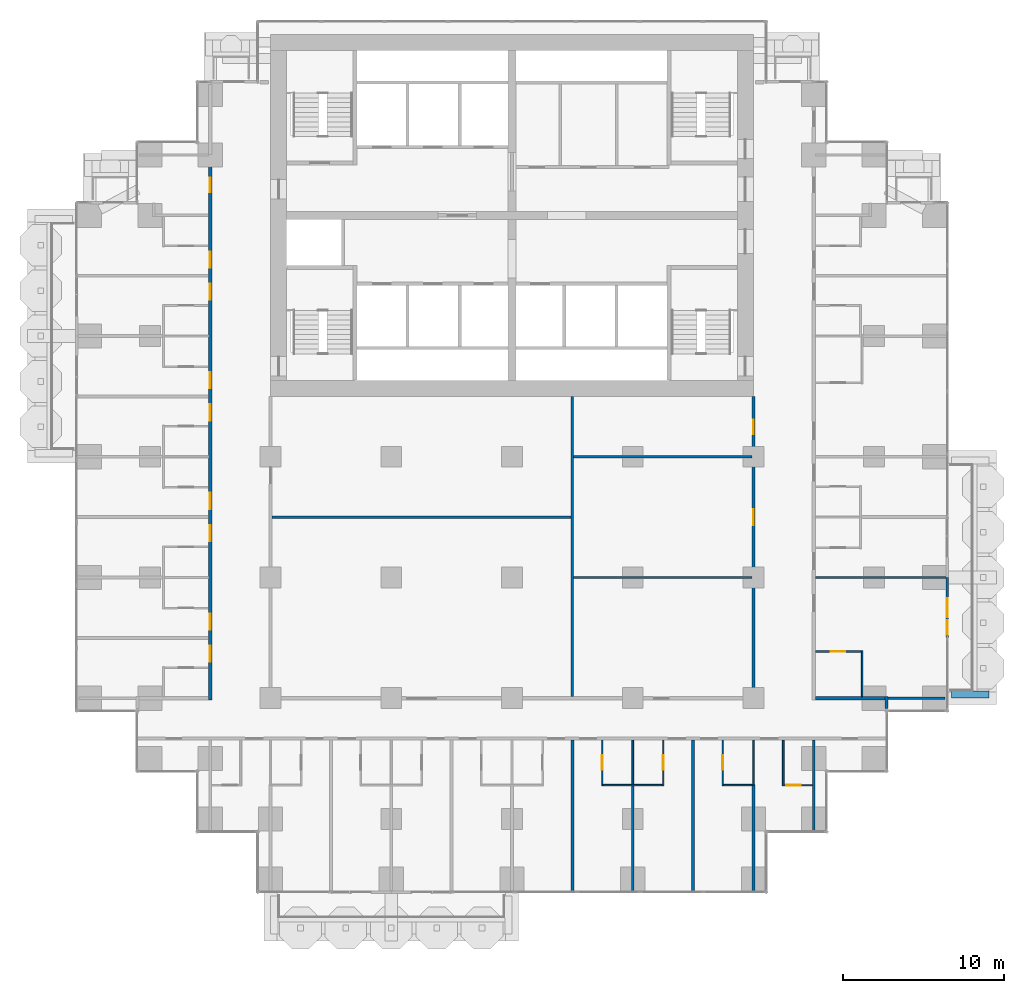
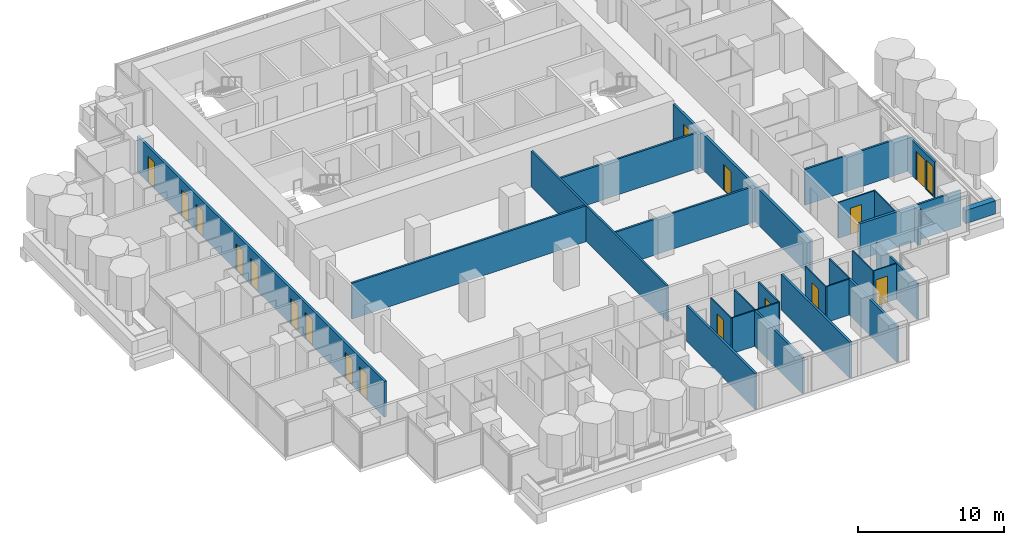
# One storey, part 12 of 19: 28 walls, 17 doors, 1 window, 18 openings.
"""IFC4 building model written with IfcOpenShell, lengths in metres."""

from ifc_helpers import new_model, si_unit, direction, frame, frame_2d, origin, place, context, subcontext, project, spatial, rectangle, extrude, material, layer, layer_set, type_object, element, fill, save


model = new_model("IFC4")

# Units and contexts
model_context = context("Model", 3, precision=1e-05, world=origin(), true_north=direction((0.0, 1.0)))
body_context = subcontext(model_context, "Body", "Model", "MODEL_VIEW")
ifc_project = project(units=[si_unit("LENGTHUNIT", "METRE"), si_unit("AREAUNIT", "SQUARE_METRE"), si_unit("VOLUMEUNIT", "CUBIC_METRE"), si_unit("PLANEANGLEUNIT", "RADIAN"), si_unit("MASSUNIT", "GRAM", prefix="KILO")], contexts=[model_context])

# Site, building, storey
site_placement = place(None, origin())
site = spatial("IfcSite", under=ifc_project, at=site_placement, CompositionType="ELEMENT")
building_placement = place(site_placement, origin())
building = spatial("IfcBuilding", under=site, at=building_placement, Name="Pilkhan Gate Tower", CompositionType="ELEMENT")
storey_placement = place(building_placement, frame((0.0, 0.0, 62.60009765625)))
storey = spatial("IfcBuildingStorey", under=building, at=storey_placement, Name="L13", CompositionType="ELEMENT", Elevation=62.60009765625)

# Walls
ifc_material_1 = material(Name="Dense blockwork", Category="masonry")
ifc_layer_1 = layer(ifc_material_1, 0.175048828125)
ifc_layer_set_1 = layer_set([ifc_layer_1], Name="Acoustic party wall PW175")
wall_type_1 = type_object("IfcWallType", Name="Acoustic party wall PW175", PredefinedType="PARTITIONING", material=ifc_layer_set_1)
wall_1_placement = place(storey_placement, frame((78.75, 40.485107421875, 0.0), z_axis=(0.0, 0.0, 1.0), x_axis=(0.0, 1.0, 0.0)))
element("IfcWall", 1, at=wall_1_placement, inside=storey, type_object=wall_type_1, Name="Partition L13", PredefinedType="PARTITIONING", context=body_context, shape_type="SweptSolid", body=[
    extrude(rectangle(XDim=9.414794921875, YDim=0.175048828125, at=frame_2d((4.70751953125, 0.0))), origin(), (0.0, 0.0, 1.0), 3.0),
])
wall_2_placement = place(storey_placement, frame((82.5, 40.485107421875, 0.0), z_axis=(0.0, 0.0, 1.0), x_axis=(0.0, 1.0, 0.0)))
element("IfcWall", 2, at=wall_2_placement, inside=storey, type_object=wall_type_1, Name="Partition L13", PredefinedType="PARTITIONING", context=body_context, shape_type="SweptSolid", body=[
    extrude(rectangle(XDim=6.56494140625, YDim=0.175048828125, at=frame_2d((3.282470703125, 0.0))), origin(), (0.0, 0.0, 1.0), 3.0),
])
wall_3_placement = place(storey_placement, frame((86.25, 40.485107421875, 0.0), z_axis=(0.0, 0.0, 1.0), x_axis=(0.0, 1.0, 0.0)))
element("IfcWall", 3, at=wall_3_placement, inside=storey, type_object=wall_type_1, Name="Partition L13", PredefinedType="PARTITIONING", context=body_context, shape_type="SweptSolid", body=[
    extrude(rectangle(XDim=9.414794921875, YDim=0.175048828125, at=frame_2d((4.70751953125, 0.0))), origin(), (0.0, 0.0, 1.0), 3.0),
])
wall_4_placement = place(storey_placement, frame((90.0, 40.485107421875, 0.0), z_axis=(0.0, 0.0, 1.0), x_axis=(0.0, 1.0, 0.0)))
element("IfcWall", 4, at=wall_4_placement, inside=storey, type_object=wall_type_1, Name="Partition L13", PredefinedType="PARTITIONING", context=body_context, shape_type="SweptSolid", body=[
    extrude(rectangle(XDim=6.664794921875, YDim=0.175048828125, at=frame_2d((3.33251953125, 0.0))), origin(), (0.0, 0.0, 1.0), 3.0),
])
ifc_material_2 = material(Name="Board-marked Concrete C40/50", Category="concrete")
ifc_layer_2 = layer(ifc_material_2, 0.449951171875)
ifc_layer_set_2 = layer_set([ifc_layer_2], Name="Balcony planter lip BL450")
wall_type_2 = type_object("IfcWallType", Name="Balcony planter lip BL450", PredefinedType="USERDEFINED", material=ifc_layer_set_2)
wall_5_placement = place(storey_placement, frame((102.300048828125, 52.72509765625, 0.0), z_axis=(0.0, 0.0, 1.0), x_axis=(1.0, 0.0, 0.0)))
element("IfcWall", 5, at=wall_5_placement, inside=storey, type_object=wall_type_2, Name="Balcony planter L13 E", ObjectType="BALCONY PLANTER", PredefinedType="USERDEFINED", context=body_context, shape_type="SweptSolid", body=[
    extrude(rectangle(XDim=2.349853515625, YDim=0.449951171875, at=frame_2d((1.1748046875, 0.0))), origin(), (0.0, 0.0, 1.0), 1.099853515625),
])
ifc_layer_3 = layer(ifc_material_1, 0.199951171875)
ifc_layer_set_3 = layer_set([ifc_layer_3], Name="Corridor wall FW200")
wall_type_3 = type_object("IfcWallType", Name="Corridor wall FW200", PredefinedType="PARTITIONING", material=ifc_layer_set_3)
wall_6_placement = place(storey_placement, frame((93.85009765625, 52.5, 0.0), z_axis=(0.0, 0.0, 1.0), x_axis=(1.0, 0.0, 0.0)))
element("IfcWall", 6, at=wall_6_placement, inside=storey, type_object=wall_type_3, Name="Partition L13", PredefinedType="PARTITIONING", context=body_context, shape_type="SweptSolid", body=[
    extrude(rectangle(XDim=4.31494140625, YDim=0.199951171875, at=frame_2d((2.157470703125, 0.0))), origin(), (0.0, 0.0, 1.0), 3.0),
])

# Wall, openings, doors
wall_7_placement = place(storey_placement, frame((56.25, 52.39990234375, 0.0), z_axis=(0.0, 0.0, 1.0), x_axis=(0.0, 1.0, 0.0)))
wall_7 = element("IfcWall", 7, at=wall_7_placement, inside=storey, type_object=wall_type_3, Name="Partition L13", PredefinedType="PARTITIONING", context=body_context, shape_type="SweptSolid", body=[
    extrude(rectangle(XDim=33.925048828125, YDim=0.199951171875, at=frame_2d((16.96240234375, 0.0))), origin(), (0.0, 0.0, 1.0), 3.0),
])
opening_1_placement = place(wall_7_placement, frame((2.35009765625, 0.0, 0.0)))
opening_1 = element("IfcOpeningElement", 8, at=opening_1_placement, cuts=wall_7, Name="Opening L13-26", PredefinedType="OPENING", context=body_context, shape_type="SweptSolid", body=[
    extrude(rectangle(XDim=1.0, YDim=2.199951171875, at=frame_2d((0.5, 1.10009765625))), frame((0.0, 0.10986328125, 0.0), z_axis=(0.0, -1.0, 0.0), x_axis=(1.0, 0.0, 0.0)), (0.0, 0.0, 1.0), 0.219970703125),
])
opening_2_placement = place(wall_7_placement, frame((4.35009765625, 0.0, 0.0)))
opening_2 = element("IfcOpeningElement", 9, at=opening_2_placement, cuts=wall_7, Name="Opening L13-28", PredefinedType="OPENING", context=body_context, shape_type="SweptSolid", body=[
    extrude(rectangle(XDim=1.0, YDim=2.199951171875, at=frame_2d((0.5, 1.10009765625))), frame((0.0, 0.10986328125, 0.0), z_axis=(0.0, -1.0, 0.0), x_axis=(1.0, 0.0, 0.0)), (0.0, 0.0, 1.0), 0.219970703125),
])
opening_3_placement = place(wall_7_placement, frame((9.85009765625, 0.0, 0.0)))
opening_3 = element("IfcOpeningElement", 10, at=opening_3_placement, cuts=wall_7, Name="Opening L13-30", PredefinedType="OPENING", context=body_context, shape_type="SweptSolid", body=[
    extrude(rectangle(XDim=1.0, YDim=2.199951171875, at=frame_2d((0.5, 1.10009765625))), frame((0.0, 0.10986328125, 0.0), z_axis=(0.0, -1.0, 0.0), x_axis=(1.0, 0.0, 0.0)), (0.0, 0.0, 1.0), 0.219970703125),
])
opening_4_placement = place(wall_7_placement, frame((11.85009765625, 0.0, 0.0)))
opening_4 = element("IfcOpeningElement", 11, at=opening_4_placement, cuts=wall_7, Name="Opening L13-32", PredefinedType="OPENING", context=body_context, shape_type="SweptSolid", body=[
    extrude(rectangle(XDim=1.0, YDim=2.199951171875, at=frame_2d((0.5, 1.10009765625))), frame((0.0, 0.10986328125, 0.0), z_axis=(0.0, -1.0, 0.0), x_axis=(1.0, 0.0, 0.0)), (0.0, 0.0, 1.0), 0.219970703125),
])
opening_5_placement = place(wall_7_placement, frame((17.35009765625, 0.0, 0.0)))
opening_5 = element("IfcOpeningElement", 12, at=opening_5_placement, cuts=wall_7, Name="Opening L13-34", PredefinedType="OPENING", context=body_context, shape_type="SweptSolid", body=[
    extrude(rectangle(XDim=1.0, YDim=2.199951171875, at=frame_2d((0.5, 1.10009765625))), frame((0.0, 0.10986328125, 0.0), z_axis=(0.0, -1.0, 0.0), x_axis=(1.0, 0.0, 0.0)), (0.0, 0.0, 1.0), 0.219970703125),
])
opening_6_placement = place(wall_7_placement, frame((19.35009765625, 0.0, 0.0)))
opening_6 = element("IfcOpeningElement", 13, at=opening_6_placement, cuts=wall_7, Name="Opening L13-36", PredefinedType="OPENING", context=body_context, shape_type="SweptSolid", body=[
    extrude(rectangle(XDim=1.0, YDim=2.199951171875, at=frame_2d((0.5, 1.10009765625))), frame((0.0, 0.10986328125, 0.0), z_axis=(0.0, -1.0, 0.0), x_axis=(1.0, 0.0, 0.0)), (0.0, 0.0, 1.0), 0.219970703125),
])
opening_7_placement = place(wall_7_placement, frame((24.85009765625, 0.0, 0.0)))
opening_7 = element("IfcOpeningElement", 14, at=opening_7_placement, cuts=wall_7, Name="Opening L13-38", PredefinedType="OPENING", context=body_context, shape_type="SweptSolid", body=[
    extrude(rectangle(XDim=1.0, YDim=2.199951171875, at=frame_2d((0.5, 1.10009765625))), frame((0.0, 0.10986328125, 0.0), z_axis=(0.0, -1.0, 0.0), x_axis=(1.0, 0.0, 0.0)), (0.0, 0.0, 1.0), 0.219970703125),
])
opening_8_placement = place(wall_7_placement, frame((26.85009765625, 0.0, 0.0)))
opening_8 = element("IfcOpeningElement", 15, at=opening_8_placement, cuts=wall_7, Name="Opening L13-40", PredefinedType="OPENING", context=body_context, shape_type="SweptSolid", body=[
    extrude(rectangle(XDim=1.0, YDim=2.199951171875, at=frame_2d((0.5, 1.10009765625))), frame((0.0, 0.10986328125, 0.0), z_axis=(0.0, -1.0, 0.0), x_axis=(1.0, 0.0, 0.0)), (0.0, 0.0, 1.0), 0.219970703125),
])
opening_9_placement = place(wall_7_placement, frame((31.550048828125, 0.0, 0.0)))
opening_9 = element("IfcOpeningElement", 16, at=opening_9_placement, cuts=wall_7, Name="Opening L13-62", PredefinedType="OPENING", context=body_context, shape_type="SweptSolid", body=[
    extrude(rectangle(XDim=0.89990234375, YDim=2.199951171875, at=frame_2d((0.449951171875, 1.10009765625))), frame((0.0, 0.10986328125, 0.0), z_axis=(0.0, -1.0, 0.0), x_axis=(1.0, 0.0, 0.0)), (0.0, 0.0, 1.0), 0.219970703125),
])
ifc_material_3 = material(Name="Timber flush door, 30 minute fire resisting", Category="wood")
door_type_1 = type_object("IfcDoorType", Name="Guest room door D01 1000x2200", OperationType="SINGLE_SWING_LEFT", PredefinedType="DOOR", material=ifc_material_3)
door_1_placement = place(opening_1_placement, origin())
door_1 = element("IfcDoor", 17, at=door_1_placement, inside=storey, type_object=door_type_1, Name="Guest room door", OperationType="SINGLE_SWING_RIGHT", OverallHeight=2.199951171875, OverallWidth=1.0, PredefinedType="DOOR", context=body_context, shape_type="SweptSolid", body=[
    extrude(rectangle(XDim=1.0, YDim=2.199951171875, at=frame_2d((0.5, 1.10009765625))), frame((0.0, 0.02490234375, 0.0), z_axis=(0.0, -1.0, 0.0), x_axis=(1.0, 0.0, 0.0)), (0.0, 0.0, 1.0), 0.050048828125),
])
fill(opening_1, door_1)
door_2_placement = place(opening_2_placement, origin())
door_2 = element("IfcDoor", 18, at=door_2_placement, inside=storey, type_object=door_type_1, Name="Guest room door", OperationType="SINGLE_SWING_LEFT", OverallHeight=2.199951171875, OverallWidth=1.0, PredefinedType="DOOR", context=body_context, shape_type="SweptSolid", body=[
    extrude(rectangle(XDim=1.0, YDim=2.199951171875, at=frame_2d((0.5, 1.10009765625))), frame((0.0, 0.02490234375, 0.0), z_axis=(0.0, -1.0, 0.0), x_axis=(1.0, 0.0, 0.0)), (0.0, 0.0, 1.0), 0.050048828125),
])
fill(opening_2, door_2)
door_3_placement = place(opening_3_placement, origin())
door_3 = element("IfcDoor", 19, at=door_3_placement, inside=storey, type_object=door_type_1, Name="Guest room door", OperationType="SINGLE_SWING_LEFT", OverallHeight=2.199951171875, OverallWidth=1.0, PredefinedType="DOOR", context=body_context, shape_type="SweptSolid", body=[
    extrude(rectangle(XDim=1.0, YDim=2.199951171875, at=frame_2d((0.5, 1.10009765625))), frame((0.0, 0.02490234375, 0.0), z_axis=(0.0, -1.0, 0.0), x_axis=(1.0, 0.0, 0.0)), (0.0, 0.0, 1.0), 0.050048828125),
])
fill(opening_3, door_3)
door_4_placement = place(opening_4_placement, origin())
door_4 = element("IfcDoor", 20, at=door_4_placement, inside=storey, type_object=door_type_1, Name="Guest room door", OperationType="SINGLE_SWING_RIGHT", OverallHeight=2.199951171875, OverallWidth=1.0, PredefinedType="DOOR", context=body_context, shape_type="SweptSolid", body=[
    extrude(rectangle(XDim=1.0, YDim=2.199951171875, at=frame_2d((0.5, 1.10009765625))), frame((0.0, 0.02490234375, 0.0), z_axis=(0.0, -1.0, 0.0), x_axis=(1.0, 0.0, 0.0)), (0.0, 0.0, 1.0), 0.050048828125),
])
fill(opening_4, door_4)
door_5_placement = place(opening_5_placement, origin())
door_5 = element("IfcDoor", 21, at=door_5_placement, inside=storey, type_object=door_type_1, Name="Guest room door", OperationType="SINGLE_SWING_RIGHT", OverallHeight=2.199951171875, OverallWidth=1.0, PredefinedType="DOOR", context=body_context, shape_type="SweptSolid", body=[
    extrude(rectangle(XDim=1.0, YDim=2.199951171875, at=frame_2d((0.5, 1.10009765625))), frame((0.0, 0.02490234375, 0.0), z_axis=(0.0, -1.0, 0.0), x_axis=(1.0, 0.0, 0.0)), (0.0, 0.0, 1.0), 0.050048828125),
])
fill(opening_5, door_5)
door_6_placement = place(opening_6_placement, origin())
door_6 = element("IfcDoor", 22, at=door_6_placement, inside=storey, type_object=door_type_1, Name="Guest room door", OperationType="SINGLE_SWING_LEFT", OverallHeight=2.199951171875, OverallWidth=1.0, PredefinedType="DOOR", context=body_context, shape_type="SweptSolid", body=[
    extrude(rectangle(XDim=1.0, YDim=2.199951171875, at=frame_2d((0.5, 1.10009765625))), frame((0.0, 0.02490234375, 0.0), z_axis=(0.0, -1.0, 0.0), x_axis=(1.0, 0.0, 0.0)), (0.0, 0.0, 1.0), 0.050048828125),
])
fill(opening_6, door_6)
door_7_placement = place(opening_7_placement, origin())
door_7 = element("IfcDoor", 23, at=door_7_placement, inside=storey, type_object=door_type_1, Name="Guest room door", OperationType="SINGLE_SWING_RIGHT", OverallHeight=2.199951171875, OverallWidth=1.0, PredefinedType="DOOR", context=body_context, shape_type="SweptSolid", body=[
    extrude(rectangle(XDim=1.0, YDim=2.199951171875, at=frame_2d((0.5, 1.10009765625))), frame((0.0, 0.02490234375, 0.0), z_axis=(0.0, -1.0, 0.0), x_axis=(1.0, 0.0, 0.0)), (0.0, 0.0, 1.0), 0.050048828125),
])
fill(opening_7, door_7)
door_8_placement = place(opening_8_placement, origin())
door_8 = element("IfcDoor", 24, at=door_8_placement, inside=storey, type_object=door_type_1, Name="Guest room door", OperationType="SINGLE_SWING_LEFT", OverallHeight=2.199951171875, OverallWidth=1.0, PredefinedType="DOOR", context=body_context, shape_type="SweptSolid", body=[
    extrude(rectangle(XDim=1.0, YDim=2.199951171875, at=frame_2d((0.5, 1.10009765625))), frame((0.0, 0.02490234375, 0.0), z_axis=(0.0, -1.0, 0.0), x_axis=(1.0, 0.0, 0.0)), (0.0, 0.0, 1.0), 0.050048828125),
])
fill(opening_8, door_8)
ifc_material_4 = material(Name="Timber flush door, 60 minute fire resisting, self-closing", Category="wood")
door_type_2 = type_object("IfcDoorType", Name="Store door D05 900x2200", OperationType="SINGLE_SWING_LEFT", PredefinedType="DOOR", material=ifc_material_4)
door_9_placement = place(opening_9_placement, origin())
door_9 = element("IfcDoor", 25, at=door_9_placement, inside=storey, type_object=door_type_2, Name="Store door", OperationType="SINGLE_SWING_RIGHT", OverallHeight=2.199951171875, OverallWidth=0.89990234375, PredefinedType="DOOR", context=body_context, shape_type="SweptSolid", body=[
    extrude(rectangle(XDim=0.89990234375, YDim=2.199951171875, at=frame_2d((0.449951171875, 1.10009765625))), frame((0.0, 0.02490234375, 0.0), z_axis=(0.0, -1.0, 0.0), x_axis=(1.0, 0.0, 0.0)), (0.0, 0.0, 1.0), 0.050048828125),
])
fill(opening_9, door_9)

wall_8_placement = place(storey_placement, frame((90.0, 52.39990234375, 0.0), z_axis=(0.0, 0.0, 1.0), x_axis=(0.0, 1.0, 0.0)))
wall_8 = element("IfcWall", 26, at=wall_8_placement, inside=storey, type_object=wall_type_3, Name="Partition L13", PredefinedType="PARTITIONING", context=body_context, shape_type="SweptSolid", body=[
    extrude(rectangle(XDim=18.840087890625, YDim=0.199951171875, at=frame_2d((9.419921875, 0.0))), origin(), (0.0, 0.0, 1.0), 3.0),
])
opening_10_placement = place(wall_8_placement, frame((10.85009765625, 0.0, 0.0)))
opening_10 = element("IfcOpeningElement", 27, at=opening_10_placement, cuts=wall_8, Name="Opening L13-67", PredefinedType="OPENING", context=body_context, shape_type="SweptSolid", body=[
    extrude(rectangle(XDim=1.0, YDim=2.199951171875, at=frame_2d((0.5, 1.10009765625))), frame((0.0, 0.10986328125, 0.0), z_axis=(0.0, -1.0, 0.0), x_axis=(1.0, 0.0, 0.0)), (0.0, 0.0, 1.0), 0.219970703125),
])
opening_11_placement = place(wall_8_placement, frame((16.5, 0.0, 0.0)))
opening_11 = element("IfcOpeningElement", 28, at=opening_11_placement, cuts=wall_8, Name="Opening L13-69", PredefinedType="OPENING", context=body_context, shape_type="SweptSolid", body=[
    extrude(rectangle(XDim=0.89990234375, YDim=2.199951171875, at=frame_2d((0.449951171875, 1.10009765625))), frame((0.0, 0.10986328125, 0.0), z_axis=(0.0, -1.0, 0.0), x_axis=(1.0, 0.0, 0.0)), (0.0, 0.0, 1.0), 0.219970703125),
])
door_type_3 = type_object("IfcDoorType", Name="Room door D03 1000x2200", OperationType="SINGLE_SWING_LEFT", PredefinedType="DOOR", material=ifc_material_3)
door_10_placement = place(opening_10_placement, origin())
door_10 = element("IfcDoor", 29, at=door_10_placement, inside=storey, type_object=door_type_3, Name="Room door", OperationType="SINGLE_SWING_LEFT", OverallHeight=2.199951171875, OverallWidth=1.0, PredefinedType="DOOR", context=body_context, shape_type="SweptSolid", body=[
    extrude(rectangle(XDim=1.0, YDim=2.199951171875, at=frame_2d((0.5, 1.10009765625))), frame((0.0, 0.02490234375, 0.0), z_axis=(0.0, -1.0, 0.0), x_axis=(1.0, 0.0, 0.0)), (0.0, 0.0, 1.0), 0.050048828125),
])
fill(opening_10, door_10)
door_11_placement = place(opening_11_placement, origin())
door_11 = element("IfcDoor", 30, at=door_11_placement, inside=storey, type_object=door_type_2, Name="Store door", OperationType="SINGLE_SWING_RIGHT", OverallHeight=2.199951171875, OverallWidth=0.89990234375, PredefinedType="DOOR", context=body_context, shape_type="SweptSolid", body=[
    extrude(rectangle(XDim=0.89990234375, YDim=2.199951171875, at=frame_2d((0.449951171875, 1.10009765625))), frame((0.0, 0.02490234375, 0.0), z_axis=(0.0, -1.0, 0.0), x_axis=(1.0, 0.0, 0.0)), (0.0, 0.0, 1.0), 0.050048828125),
])
fill(opening_11, door_11)

# Wall
wall_9_placement = place(storey_placement, frame((98.264892578125, 51.85498046875, 0.0), z_axis=(0.0, 0.0, 1.0), x_axis=(0.0, 1.0, 0.0)))
element("IfcWall", 31, at=wall_9_placement, inside=storey, type_object=wall_type_3, Name="Partition L13", PredefinedType="PARTITIONING", context=body_context, shape_type="SweptSolid", body=[
    extrude(rectangle(XDim=0.7451171875, YDim=0.199951171875, at=frame_2d((0.37255859375, 0.0))), origin(), (0.0, 0.0, 1.0), 3.0),
])

# Wall, openings, door, window
ifc_material_5 = material(Name="Pale anodised aluminium, clear laminated glazing", Category="aluminium")
ifc_layer_4 = layer(ifc_material_5, 0.14990234375)
ifc_layer_set_4 = layer_set([ifc_layer_4], Name="Facade infill wall IW150")
wall_type_4 = type_object("IfcWallType", Name="Facade infill wall IW150", PredefinedType="SOLIDWALL", material=ifc_layer_set_4)
wall_10_placement = place(storey_placement, frame((102.044921875, 56.25, 0.0), z_axis=(0.0, 0.0, 1.0), x_axis=(0.0, 1.0, 0.0)))
wall_10 = element("IfcWall", 32, at=wall_10_placement, inside=storey, type_object=wall_type_4, Name="Infill wall L13 E", PredefinedType="SOLIDWALL", context=body_context, shape_type="SweptSolid", body=[
    extrude(rectangle(XDim=3.75, YDim=0.14990234375, at=frame_2d((1.875, 0.0))), origin(), (0.0, 0.0, 1.0), 3.0),
])
opening_12_placement = place(wall_10_placement, frame((0.1875, 0.0, 0.10009765625)))
opening_12 = element("IfcOpeningElement", 33, at=opening_12_placement, cuts=wall_10, Name="Opening W1", PredefinedType="OPENING", context=body_context, shape_type="SweptSolid", body=[
    extrude(rectangle(XDim=0.89990234375, YDim=2.39990234375, at=frame_2d((0.449951171875, 1.199951171875))), frame((0.0, 0.0849609375, 0.0), z_axis=(0.0, -1.0, 0.0), x_axis=(1.0, 0.0, 0.0)), (0.0, 0.0, 1.0), 0.169921875),
])
opening_13_placement = place(wall_10_placement, frame((1.27490234375, 0.0, 0.0)))
opening_13 = element("IfcOpeningElement", 34, at=opening_13_placement, cuts=wall_10, Name="Opening D1", PredefinedType="OPENING", context=body_context, shape_type="SweptSolid", body=[
    extrude(rectangle(XDim=1.199951171875, YDim=2.39990234375, at=frame_2d((0.60009765625, 1.199951171875))), frame((0.0, 0.0849609375, 0.0), z_axis=(0.0, -1.0, 0.0), x_axis=(1.0, 0.0, 0.0)), (0.0, 0.0, 1.0), 0.169921875),
])
ifc_material_6 = material(Name="Pale anodised aluminium, clear glazing", Category="aluminium")
door_type_4 = type_object("IfcDoorType", Name="Balcony door D1 1200x2400", OperationType="SINGLE_SWING_LEFT", PredefinedType="DOOR", material=ifc_material_6)
door_12_placement = place(opening_13_placement, origin())
door_12 = element("IfcDoor", 35, at=door_12_placement, inside=storey, type_object=door_type_4, Name="Balcony door L13", OperationType="SINGLE_SWING_LEFT", OverallHeight=2.39990234375, OverallWidth=1.199951171875, PredefinedType="DOOR", context=body_context, shape_type="SweptSolid", body=[
    extrude(rectangle(XDim=1.199951171875, YDim=2.39990234375, at=frame_2d((0.60009765625, 1.199951171875))), frame((0.0, 0.02490234375, 0.0), z_axis=(0.0, -1.0, 0.0), x_axis=(1.0, 0.0, 0.0)), (0.0, 0.0, 1.0), 0.050048828125),
])
fill(opening_13, door_12)
ifc_material_7 = material(Name="Pale anodised aluminium, clear double glazing", Category="aluminium")
window_type = type_object("IfcWindowType", Name="Window W1 900x2400", PartitioningType="SINGLE_PANEL", PredefinedType="WINDOW", material=ifc_material_7)
window_placement = place(opening_12_placement, origin())
window = element("IfcWindow", 36, at=window_placement, inside=storey, type_object=window_type, Name="Window L13", OverallHeight=2.39990234375, OverallWidth=0.89990234375, PartitioningType="SINGLE_PANEL", PredefinedType="WINDOW", context=body_context, shape_type="SweptSolid", body=[
    extrude(rectangle(XDim=0.89990234375, YDim=2.39990234375, at=frame_2d((0.449951171875, 1.199951171875))), frame((0.0, 0.030029296875, 0.0), z_axis=(0.0, -1.0, 0.0), x_axis=(1.0, 0.0, 0.0)), (0.0, 0.0, 1.0), 0.06005859375),
])
fill(opening_12, window)

# Walls
ifc_material_8 = material(Name="Blockwork partition, plastered both sides", Category="masonry")
ifc_layer_5 = layer(ifc_material_8, 0.14990234375)
ifc_layer_set_5 = layer_set([ifc_layer_5], Name="Partition PW150")
wall_type_5 = type_object("IfcWallType", Name="Partition PW150", PredefinedType="PARTITIONING", material=ifc_layer_set_5)
wall_11_placement = place(storey_placement, frame((98.364990234375, 52.5, 0.0), z_axis=(0.0, 0.0, 1.0), x_axis=(1.0, 0.0, 0.0)))
element("IfcWall", 37, at=wall_11_placement, inside=storey, type_object=wall_type_5, Name="Partition L13", PredefinedType="PARTITIONING", context=body_context, shape_type="SweptSolid", body=[
    extrude(rectangle(XDim=3.530029296875, YDim=0.14990234375, at=frame_2d((1.76513671875, 0.0))), origin(), (0.0, 0.0, 1.0), 3.0),
])
wall_12_placement = place(storey_placement, frame((78.824951171875, 60.0, 0.0), z_axis=(0.0, 0.0, 1.0), x_axis=(1.0, 0.0, 0.0)))
element("IfcWall", 38, at=wall_12_placement, inside=storey, type_object=wall_type_5, Name="Partition L13", PredefinedType="PARTITIONING", context=body_context, shape_type="SweptSolid", body=[
    extrude(rectangle(XDim=11.074951171875, YDim=0.14990234375, at=frame_2d((5.53759765625, 0.0))), origin(), (0.0, 0.0, 1.0), 3.0),
])
wall_13_placement = place(storey_placement, frame((93.85009765625, 60.0, 0.0), z_axis=(0.0, 0.0, 1.0), x_axis=(1.0, 0.0, 0.0)))
element("IfcWall", 39, at=wall_13_placement, inside=storey, type_object=wall_type_5, Name="Partition L13", PredefinedType="PARTITIONING", context=body_context, shape_type="SweptSolid", body=[
    extrude(rectangle(XDim=8.10986328125, YDim=0.14990234375, at=frame_2d((4.054931640625, 0.0))), origin(), (0.0, 0.0, 1.0), 3.0),
])
wall_14_placement = place(storey_placement, frame((60.10009765625, 63.75, 0.0), z_axis=(0.0, 0.0, 1.0), x_axis=(1.0, 0.0, 0.0)))
element("IfcWall", 40, at=wall_14_placement, inside=storey, type_object=wall_type_5, Name="Partition L13", PredefinedType="PARTITIONING", context=body_context, shape_type="SweptSolid", body=[
    extrude(rectangle(XDim=18.574951171875, YDim=0.14990234375, at=frame_2d((9.28759765625, 0.0))), origin(), (0.0, 0.0, 1.0), 3.0),
])
wall_15_placement = place(storey_placement, frame((78.824951171875, 67.5, 0.0), z_axis=(0.0, 0.0, 1.0), x_axis=(1.0, 0.0, 0.0)))
element("IfcWall", 41, at=wall_15_placement, inside=storey, type_object=wall_type_5, Name="Partition L13", PredefinedType="PARTITIONING", context=body_context, shape_type="SweptSolid", body=[
    extrude(rectangle(XDim=11.074951171875, YDim=0.14990234375, at=frame_2d((5.53759765625, 0.0))), origin(), (0.0, 0.0, 1.0), 3.0),
])
wall_16_placement = place(storey_placement, frame((78.75, 52.60009765625, 0.0), z_axis=(0.0, 0.0, 1.0), x_axis=(0.0, 1.0, 0.0)))
element("IfcWall", 42, at=wall_16_placement, inside=storey, type_object=wall_type_5, Name="Partition L13", PredefinedType="PARTITIONING", context=body_context, shape_type="SweptSolid", body=[
    extrude(rectangle(XDim=18.639892578125, YDim=0.14990234375, at=frame_2d((9.31982421875, 0.0))), origin(), (0.0, 0.0, 1.0), 3.0),
])
wall_17_placement = place(storey_placement, frame((93.75, 44.235107421875, 0.0), z_axis=(0.0, 0.0, 1.0), x_axis=(0.0, 1.0, 0.0)))
element("IfcWall", 43, at=wall_17_placement, inside=storey, type_object=wall_type_5, Name="Partition L13", PredefinedType="PARTITIONING", context=body_context, shape_type="SweptSolid", body=[
    extrude(rectangle(XDim=5.664794921875, YDim=0.14990234375, at=frame_2d((2.83251953125, 0.0))), origin(), (0.0, 0.0, 1.0), 3.0),
])
ifc_material_9 = material(Name="Moisture resistant board, tiled")
ifc_layer_6 = layer(ifc_material_9, 0.10009765625)
ifc_layer_set_6 = layer_set([ifc_layer_6], Name="Wet wall PW100")
wall_type_6 = type_object("IfcWallType", Name="Wet wall PW100", PredefinedType="PARTITIONING", material=ifc_layer_set_6)
wall_18_placement = place(storey_placement, frame((80.64990234375, 47.10009765625, 0.0), z_axis=(0.0, 0.0, 1.0), x_axis=(1.0, 0.0, 0.0)))
element("IfcWall", 44, at=wall_18_placement, inside=storey, type_object=wall_type_6, Name="Partition L13", PredefinedType="PARTITIONING", context=body_context, shape_type="SweptSolid", body=[
    extrude(rectangle(XDim=3.7001953125, YDim=0.10009765625, at=frame_2d((1.85009765625, 0.0))), origin(), (0.0, 0.0, 1.0), 3.0),
])
wall_19_placement = place(storey_placement, frame((88.14990234375, 47.10009765625, 0.0), z_axis=(0.0, 0.0, 1.0), x_axis=(1.0, 0.0, 0.0)))
element("IfcWall", 45, at=wall_19_placement, inside=storey, type_object=wall_type_6, Name="Partition L13", PredefinedType="PARTITIONING", context=body_context, shape_type="SweptSolid", body=[
    extrude(rectangle(XDim=1.76220703125, YDim=0.10009765625, at=frame_2d((0.881103515625, 0.0))), origin(), (0.0, 0.0, 1.0), 3.0),
])

# Wall, opening, door
wall_20_placement = place(storey_placement, frame((91.89990234375, 47.10009765625, 0.0), z_axis=(0.0, 0.0, 1.0), x_axis=(1.0, 0.0, 0.0)))
wall_20 = element("IfcWall", 46, at=wall_20_placement, inside=storey, type_object=wall_type_6, Name="Partition L13", PredefinedType="PARTITIONING", context=body_context, shape_type="SweptSolid", body=[
    extrude(rectangle(XDim=1.775146484375, YDim=0.10009765625, at=frame_2d((0.8876953125, 0.0))), origin(), (0.0, 0.0, 1.0), 3.0),
])
opening_14_placement = place(wall_20_placement, frame((0.14990234375, 0.0, 0.0)))
opening_14 = element("IfcOpeningElement", 47, at=opening_14_placement, cuts=wall_20, Name="Opening L13-25", PredefinedType="OPENING", context=body_context, shape_type="SweptSolid", body=[
    extrude(rectangle(XDim=0.89990234375, YDim=2.199951171875, at=frame_2d((0.449951171875, 1.10009765625))), frame((0.0, 0.06005859375, 0.0), z_axis=(0.0, -1.0, 0.0), x_axis=(1.0, 0.0, 0.0)), (0.0, 0.0, 1.0), 0.1201171875),
])
ifc_material_10 = material(Name="Timber flush door", Category="wood")
door_type_5 = type_object("IfcDoorType", Name="Bathroom door D02 900x2200", OperationType="SINGLE_SWING_RIGHT", PredefinedType="DOOR", material=ifc_material_10)
door_13_placement = place(opening_14_placement, origin())
door_13 = element("IfcDoor", 48, at=door_13_placement, inside=storey, type_object=door_type_5, Name="Bathroom door", OperationType="SINGLE_SWING_RIGHT", OverallHeight=2.199951171875, OverallWidth=0.89990234375, PredefinedType="DOOR", context=body_context, shape_type="SweptSolid", body=[
    extrude(rectangle(XDim=0.89990234375, YDim=2.199951171875, at=frame_2d((0.449951171875, 1.10009765625))), frame((0.0, 0.02490234375, 0.0), z_axis=(0.0, -1.0, 0.0), x_axis=(1.0, 0.0, 0.0)), (0.0, 0.0, 1.0), 0.050048828125),
])
fill(opening_14, door_13)

wall_21_placement = place(storey_placement, frame((93.85009765625, 55.39990234375, 0.0), z_axis=(0.0, 0.0, 1.0), x_axis=(1.0, 0.0, 0.0)))
wall_21 = element("IfcWall", 49, at=wall_21_placement, inside=storey, type_object=wall_type_6, Name="Partition L13", PredefinedType="PARTITIONING", context=body_context, shape_type="SweptSolid", body=[
    extrude(rectangle(XDim=2.849853515625, YDim=0.10009765625, at=frame_2d((1.4248046875, 0.0))), origin(), (0.0, 0.0, 1.0), 3.0),
])
opening_15_placement = place(wall_21_placement, frame((0.949951171875, 0.0, 0.0)))
opening_15 = element("IfcOpeningElement", 50, at=opening_15_placement, cuts=wall_21, Name="Opening L13-43", PredefinedType="OPENING", context=body_context, shape_type="SweptSolid", body=[
    extrude(rectangle(XDim=0.89990234375, YDim=2.199951171875, at=frame_2d((0.449951171875, 1.10009765625))), frame((0.0, 0.06005859375, 0.0), z_axis=(0.0, -1.0, 0.0), x_axis=(1.0, 0.0, 0.0)), (0.0, 0.0, 1.0), 0.1201171875),
])
door_14_placement = place(opening_15_placement, origin())
door_14 = element("IfcDoor", 51, at=door_14_placement, inside=storey, type_object=door_type_5, Name="Bathroom door", OperationType="SINGLE_SWING_RIGHT", OverallHeight=2.199951171875, OverallWidth=0.89990234375, PredefinedType="DOOR", context=body_context, shape_type="SweptSolid", body=[
    extrude(rectangle(XDim=0.89990234375, YDim=2.199951171875, at=frame_2d((0.449951171875, 1.10009765625))), frame((0.0, 0.02490234375, 0.0), z_axis=(0.0, -1.0, 0.0), x_axis=(1.0, 0.0, 0.0)), (0.0, 0.0, 1.0), 0.050048828125),
])
fill(opening_15, door_14)

wall_22_placement = place(storey_placement, frame((80.60009765625, 47.050048828125, 0.0), z_axis=(0.0, 0.0, 1.0), x_axis=(0.0, 1.0, 0.0)))
wall_22 = element("IfcWall", 52, at=wall_22_placement, inside=storey, type_object=wall_type_6, Name="Partition L13", PredefinedType="PARTITIONING", context=body_context, shape_type="SweptSolid", body=[
    extrude(rectangle(XDim=2.849853515625, YDim=0.10009765625, at=frame_2d((1.4248046875, 0.0))), origin(), (0.0, 0.0, 1.0), 3.0),
])
opening_16_placement = place(wall_22_placement, frame((1.0, 0.0, 0.0)))
opening_16 = element("IfcOpeningElement", 53, at=opening_16_placement, cuts=wall_22, Name="Opening L13-19", PredefinedType="OPENING", context=body_context, shape_type="SweptSolid", body=[
    extrude(rectangle(XDim=0.89990234375, YDim=2.199951171875, at=frame_2d((0.449951171875, 1.10009765625))), frame((0.0, 0.06005859375, 0.0), z_axis=(0.0, -1.0, 0.0), x_axis=(1.0, 0.0, 0.0)), (0.0, 0.0, 1.0), 0.1201171875),
])
door_15_placement = place(opening_16_placement, origin())
door_15 = element("IfcDoor", 54, at=door_15_placement, inside=storey, type_object=door_type_5, Name="Bathroom door", OperationType="SINGLE_SWING_RIGHT", OverallHeight=2.199951171875, OverallWidth=0.89990234375, PredefinedType="DOOR", context=body_context, shape_type="SweptSolid", body=[
    extrude(rectangle(XDim=0.89990234375, YDim=2.199951171875, at=frame_2d((0.449951171875, 1.10009765625))), frame((0.0, 0.02490234375, 0.0), z_axis=(0.0, -1.0, 0.0), x_axis=(1.0, 0.0, 0.0)), (0.0, 0.0, 1.0), 0.050048828125),
])
fill(opening_16, door_15)

# Wall
wall_23_placement = place(storey_placement, frame((82.5, 47.14990234375, 0.0), z_axis=(0.0, 0.0, 1.0), x_axis=(0.0, 1.0, 0.0)))
element("IfcWall", 55, at=wall_23_placement, inside=storey, type_object=wall_type_6, Name="Partition L13", PredefinedType="PARTITIONING", context=body_context, shape_type="SweptSolid", body=[
    extrude(rectangle(XDim=2.75, YDim=0.10009765625, at=frame_2d((1.375, 0.0))), origin(), (0.0, 0.0, 1.0), 3.0),
])

# Wall, opening, door
wall_24_placement = place(storey_placement, frame((84.39990234375, 47.050048828125, 0.0), z_axis=(0.0, 0.0, 1.0), x_axis=(0.0, 1.0, 0.0)))
wall_24 = element("IfcWall", 56, at=wall_24_placement, inside=storey, type_object=wall_type_6, Name="Partition L13", PredefinedType="PARTITIONING", context=body_context, shape_type="SweptSolid", body=[
    extrude(rectangle(XDim=2.849853515625, YDim=0.10009765625, at=frame_2d((1.4248046875, 0.0))), origin(), (0.0, 0.0, 1.0), 3.0),
])
opening_17_placement = place(wall_24_placement, frame((1.0, 0.0, 0.0)))
opening_17 = element("IfcOpeningElement", 57, at=opening_17_placement, cuts=wall_24, Name="Opening L13-21", PredefinedType="OPENING", context=body_context, shape_type="SweptSolid", body=[
    extrude(rectangle(XDim=0.89990234375, YDim=2.199951171875, at=frame_2d((0.449951171875, 1.10009765625))), frame((0.0, 0.06005859375, 0.0), z_axis=(0.0, -1.0, 0.0), x_axis=(1.0, 0.0, 0.0)), (0.0, 0.0, 1.0), 0.1201171875),
])
door_16_placement = place(opening_17_placement, origin())
door_16 = element("IfcDoor", 58, at=door_16_placement, inside=storey, type_object=door_type_5, Name="Bathroom door", OperationType="SINGLE_SWING_RIGHT", OverallHeight=2.199951171875, OverallWidth=0.89990234375, PredefinedType="DOOR", context=body_context, shape_type="SweptSolid", body=[
    extrude(rectangle(XDim=0.89990234375, YDim=2.199951171875, at=frame_2d((0.449951171875, 1.10009765625))), frame((0.0, 0.02490234375, 0.0), z_axis=(0.0, -1.0, 0.0), x_axis=(1.0, 0.0, 0.0)), (0.0, 0.0, 1.0), 0.050048828125),
])
fill(opening_17, door_16)

wall_25_placement = place(storey_placement, frame((88.10009765625, 47.050048828125, 0.0), z_axis=(0.0, 0.0, 1.0), x_axis=(0.0, 1.0, 0.0)))
wall_25 = element("IfcWall", 59, at=wall_25_placement, inside=storey, type_object=wall_type_6, Name="Partition L13", PredefinedType="PARTITIONING", context=body_context, shape_type="SweptSolid", body=[
    extrude(rectangle(XDim=2.849853515625, YDim=0.10009765625, at=frame_2d((1.4248046875, 0.0))), origin(), (0.0, 0.0, 1.0), 3.0),
])
opening_18_placement = place(wall_25_placement, frame((1.0, 0.0, 0.0)))
opening_18 = element("IfcOpeningElement", 60, at=opening_18_placement, cuts=wall_25, Name="Opening L13-23", PredefinedType="OPENING", context=body_context, shape_type="SweptSolid", body=[
    extrude(rectangle(XDim=0.89990234375, YDim=2.199951171875, at=frame_2d((0.449951171875, 1.10009765625))), frame((0.0, 0.06005859375, 0.0), z_axis=(0.0, -1.0, 0.0), x_axis=(1.0, 0.0, 0.0)), (0.0, 0.0, 1.0), 0.1201171875),
])
door_17_placement = place(opening_18_placement, origin())
door_17 = element("IfcDoor", 61, at=door_17_placement, inside=storey, type_object=door_type_5, Name="Bathroom door", OperationType="SINGLE_SWING_RIGHT", OverallHeight=2.199951171875, OverallWidth=0.89990234375, PredefinedType="DOOR", context=body_context, shape_type="SweptSolid", body=[
    extrude(rectangle(XDim=0.89990234375, YDim=2.199951171875, at=frame_2d((0.449951171875, 1.10009765625))), frame((0.0, 0.02490234375, 0.0), z_axis=(0.0, -1.0, 0.0), x_axis=(1.0, 0.0, 0.0)), (0.0, 0.0, 1.0), 0.050048828125),
])
fill(opening_18, door_17)

# Walls
wall_26_placement = place(storey_placement, frame((90.0, 47.10009765625, 0.0), z_axis=(0.0, 0.0, 1.0), x_axis=(0.0, 1.0, 0.0)))
element("IfcWall", 62, at=wall_26_placement, inside=storey, type_object=wall_type_6, Name="Partition L13", PredefinedType="PARTITIONING", context=body_context, shape_type="SweptSolid", body=[
    extrude(rectangle(XDim=2.7998046875, YDim=0.10009765625, at=frame_2d((1.39990234375, 0.0))), origin(), (0.0, 0.0, 1.0), 3.0),
])
for number, where, z_axis, x_axis, name in (
    (63, (91.85009765625, 47.050048828125, 0.0), (0.0, 0.0, 1.0), (0.0, 1.0, 0.0), "Partition L13"),
    (64, (96.75, 52.60009765625, 0.0), (0.0, 0.0, 1.0), (0.0, 1.0, 0.0), "Partition L13"),
):
    element("IfcWall", number, at=place(storey_placement, frame(where, z_axis=z_axis, x_axis=x_axis)), inside=storey, type_object=wall_type_6, Name=name, PredefinedType="PARTITIONING", context=body_context, shape_type="SweptSolid", body=[
        extrude(rectangle(XDim=2.849853515625, YDim=0.10009765625, at=frame_2d((1.4248046875, 0.0))), origin(), (0.0, 0.0, 1.0), 3.0),
    ])

save(model, "model.ifc")
